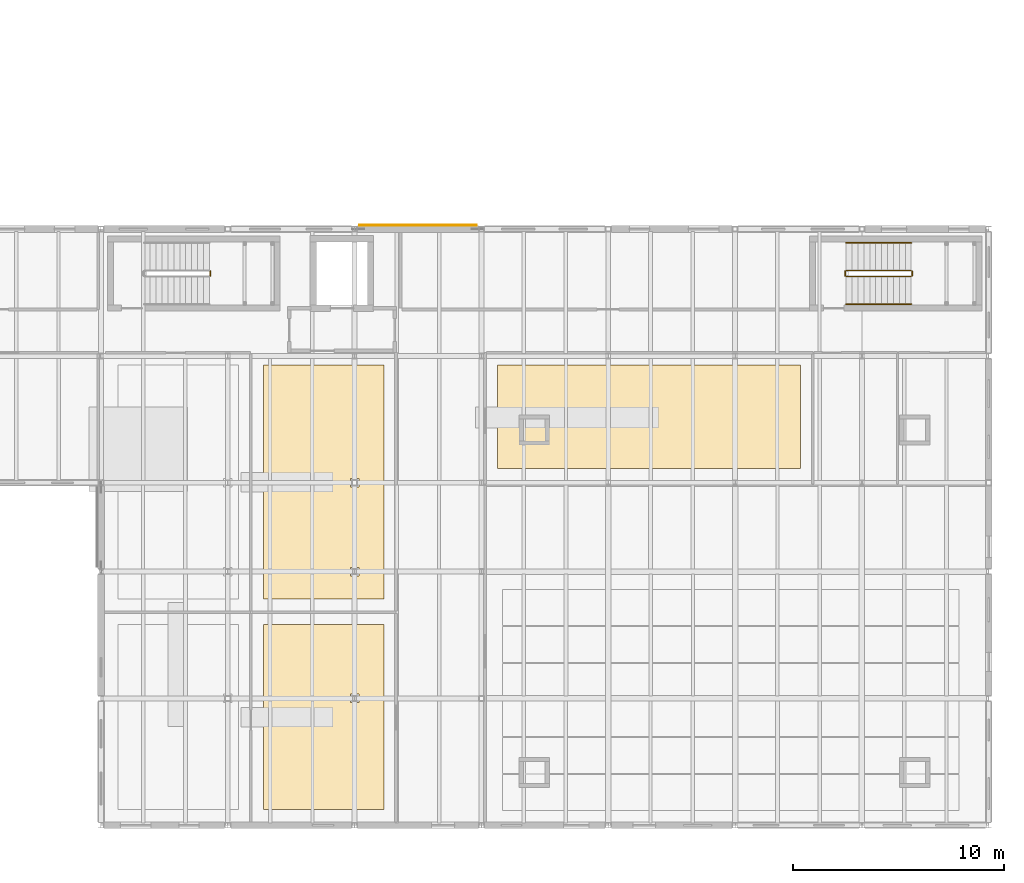
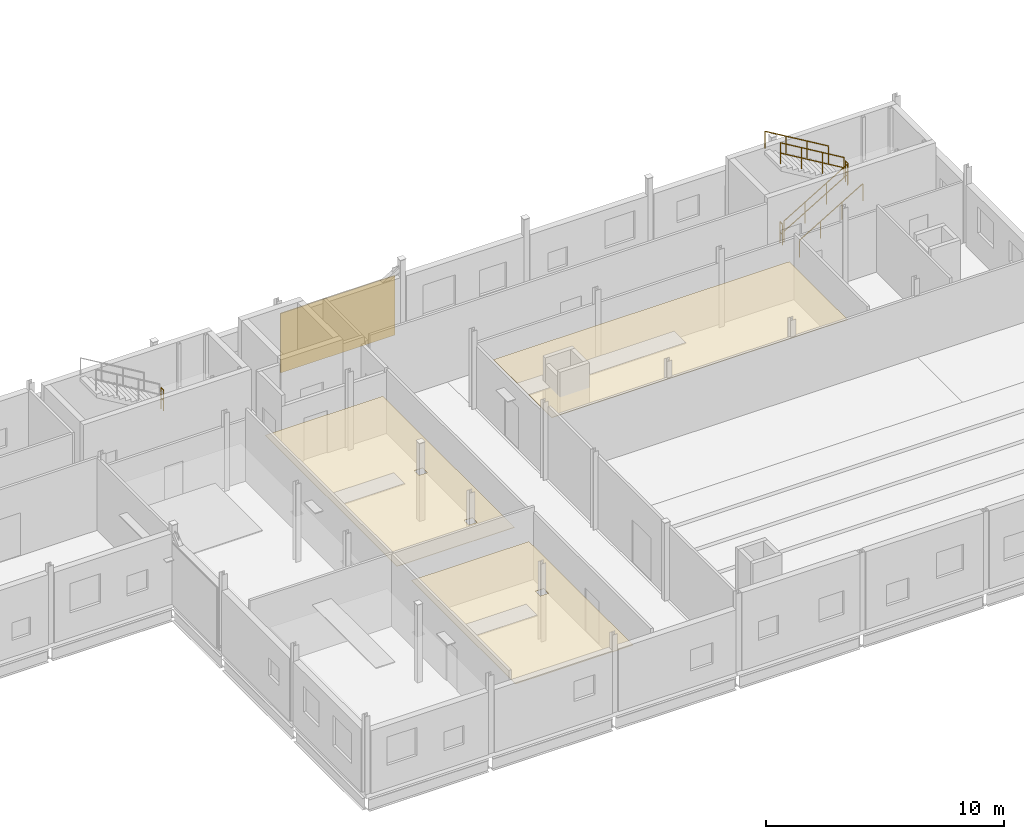
# One storey, part 90 of 92: 7 railings, 4 coverings.
"""IFC4 building model written with IfcOpenShell, lengths in metres."""

from ifc_helpers import new_model, si_unit, direction, frame, origin, origin_2d, place, context, subcontext, project, spatial, polyline, rectangle, circle, outline, extrude, material, layer, layer_set, type_object, element, save


model = new_model("IFC4")

# Units and contexts
model_context = context("Model", 3, precision=1e-05, world=origin(), true_north=direction((0.0, 1.0)))
body_context = subcontext(model_context, "Body", "Model", "MODEL_VIEW")
ifc_project = project(units=[si_unit("LENGTHUNIT", "METRE"), si_unit("AREAUNIT", "SQUARE_METRE"), si_unit("VOLUMEUNIT", "CUBIC_METRE"), si_unit("PLANEANGLEUNIT", "RADIAN"), si_unit("MASSUNIT", "GRAM", prefix="KILO")], contexts=[model_context])

# Site, building, storey
site_placement = place(None, origin())
site = spatial("IfcSite", under=ifc_project, at=site_placement, CompositionType="ELEMENT")
building_placement = place(site_placement, origin())
building = spatial("IfcBuilding", under=site, at=building_placement, Name="Siltcreek Boulevard Central Fire Station", CompositionType="ELEMENT")
storey_placement = place(building_placement, frame((0.0, 0.0, 6.0)))
storey = spatial("IfcBuildingStorey", under=building, at=storey_placement, Name="L02", CompositionType="ELEMENT", Elevation=6.0)

# Coverings
ifc_material_1 = material(Name="Mineral-fiber acoustic ceiling tile", Category="gypsum")
ifc_layer_1 = layer(ifc_material_1, 0.02490234375, Name="Mineral-fiber acoustic ceiling tile")
ifc_layer_set_1 = layer_set([ifc_layer_1], Name="Mineral-fiber acoustic ceiling tile")
covering_type_1 = type_object("IfcCoveringType", Name="COV_CEIL_ACT", PredefinedType="CEILING", material=ifc_layer_set_1)
covering_1_placement = place(storey_placement, frame((0.0, 0.0, 2.419921875)))
element("IfcCovering", 1, at=covering_1_placement, inside=storey, type_object=covering_type_1, Name="L02 Training Classroom 202 acoustic ceiling ACT-023", PredefinedType="CEILING", context=body_context, shape_type="SweptSolid", body=[
    extrude(outline(polyline([(131.8798828125, 2.550048828125), (137.580078125, 2.550048828125), (137.580078125, 11.300048828125), (131.8798828125, 11.300048828125), (131.8798828125, 2.550048828125)]), holes=[polyline([(136.0, 7.60009765625), (136.39990234375, 7.60009765625), (136.39990234375, 8.0), (136.0, 8.0), (136.0, 7.60009765625)])]), origin(), (0.0, 0.0, 1.0), 0.025146484375),
])
covering_2_placement = place(storey_placement, frame((0.0, 0.0, 2.419921875)))
element("IfcCovering", 2, at=covering_2_placement, inside=storey, type_object=covering_type_1, Name="L02 Training Classroom 204 acoustic ceiling ACT-025", PredefinedType="CEILING", context=body_context, shape_type="SweptSolid", body=[
    extrude(outline(polyline([(131.8798828125, 12.5), (137.580078125, 12.5), (137.580078125, 23.580078125), (131.8798828125, 23.580078125), (131.8798828125, 12.5)]), holes=[polyline([(136.0, 13.60009765625), (136.39990234375, 13.60009765625), (136.39990234375, 14.0), (136.0, 14.0), (136.0, 13.60009765625)]), polyline([(136.0, 17.800048828125), (136.39990234375, 17.800048828125), (136.39990234375, 18.199951171875), (136.0, 18.199951171875), (136.0, 17.800048828125)])]), origin(), (0.0, 0.0, 1.0), 0.025146484375),
])
covering_3_placement = place(storey_placement, frame((0.0, 0.0, 2.419921875)))
element("IfcCovering", 3, at=covering_3_placement, inside=storey, type_object=covering_type_1, Name="L02 Training Classroom 205 acoustic ceiling ACT-026", PredefinedType="CEILING", context=body_context, shape_type="SweptSolid", body=[
    extrude(outline(polyline([(142.949951171875, 18.679931640625), (157.300048828125, 18.679931640625), (157.300048828125, 23.580078125), (142.949951171875, 23.580078125), (142.949951171875, 18.679931640625)])), origin(), (0.0, 0.0, 1.0), 0.025146484375),
])
ifc_material_2 = material(Name="Crisp white ribbed aluminum facade panel", Category="aluminium")
ifc_layer_2 = layer(ifc_material_2, 0.0400390625, Name="Crisp white ribbed aluminum facade panel")
ifc_layer_set_2 = layer_set([ifc_layer_2], Name="Crisp white ribbed aluminum facade panel")
covering_type_2 = type_object("IfcCoveringType", Name="COV_CLAD_WHITE", PredefinedType="CLADDING", material=ifc_layer_set_2)
covering_4_placement = place(storey_placement, frame((139.199951171875, 30.177978515625, 0.0498046875), z_axis=(0.0, 0.0, 1.0), x_axis=(-1.0, 0.0, 0.0)))
element("IfcCovering", 4, at=covering_4_placement, inside=storey, type_object=covering_type_2, Name="L02 V6 ventilated facade cladding panel CL-026", PredefinedType="CLADDING", context=body_context, shape_type="SweptSolid", body=[
    extrude(rectangle(XDim=5.550048828125, YDim=0.0400390625, at=origin_2d()), origin(), (0.0, 0.0, 1.0), 3.052978515625),
])

# Railings
ifc_material_3 = material(Name="Painted galvanized steel stair guard", Category="steel")
railing_type_1 = type_object("IfcRailingType", Name="RL_ST_GUARD", PredefinedType="BALUSTRADE", material=ifc_material_3)
railing_1_placement = place(storey_placement, frame((129.3798828125, 27.800048828125, 2.0)))
element("IfcRailing", 5, at=railing_1_placement, inside=storey, type_object=railing_type_1, Name="L02 ST-V6A stair guard 2", PredefinedType="BALUSTRADE", context=body_context, shape_type="SweptSolid", body=[
    extrude(circle(Radius=0.02392578125, at=origin_2d()), frame((0.0, 0.0, 1.076171875), z_axis=(0.0, 1.0, 0.0), x_axis=(-1.0, 0.0, 0.0)), (0.0, 0.0, 1.0), 0.199951171875),
    extrude(circle(Radius=0.02392578125, at=origin_2d()), frame((0.0, 0.0, 0.550048828125), z_axis=(0.0, 1.0, 0.0), x_axis=(-1.0, 0.0, 0.0)), (0.0, 0.0, 1.0), 0.199951171875),
    extrude(circle(Radius=0.02099609375, at=origin_2d()), origin(), (0.0, 0.0, 1.0), 1.052001953125),
    extrude(circle(Radius=0.02099609375, at=origin_2d()), frame((0.0, 0.199951171875, 0.0)), (0.0, 0.0, 1.0), 1.052001953125),
])
railing_2_placement = place(storey_placement, frame((159.449951171875, 27.75, 0.166748046875)))
element("IfcRailing", 6, at=railing_2_placement, inside=storey, type_object=railing_type_1, Name="L02 ST-V6B stair guard 1", PredefinedType="BALUSTRADE", context=body_context, shape_type="SweptSolid", body=[
    extrude(circle(Radius=0.02392578125, at=origin_2d()), frame((0.0, 0.0, 1.076171875), z_axis=(0.859308565015, 0.0, 0.511457515432), x_axis=(0.0, 1.0, 0.0)), (0.0, 0.0, 1.0), 3.58447265625),
    extrude(circle(Radius=0.02392578125, at=origin_2d()), frame((0.0, 0.0, 0.550048828125), z_axis=(0.859308565015, 0.0, 0.511457515432), x_axis=(0.0, 1.0, 0.0)), (0.0, 0.0, 1.0), 3.58447265625),
    extrude(circle(Radius=0.02099609375, at=origin_2d()), origin(), (0.0, 0.0, 1.0), 1.052001953125),
    extrude(circle(Radius=0.02099609375, at=origin_2d()), frame((1.026611328125, 0.0, 0.611083984375)), (0.0, 0.0, 1.0), 1.052001953125),
    extrude(circle(Radius=0.02099609375, at=origin_2d()), frame((2.053466796875, 0.0, 1.22216796875)), (0.0, 0.0, 1.0), 1.052001953125),
    extrude(circle(Radius=0.02099609375, at=origin_2d()), frame((3.080078125, 0.0, 1.833251953125)), (0.0, 0.0, 1.0), 1.052001953125),
])
railing_3_placement = place(storey_placement, frame((162.580078125, 27.800048828125, 2.0)))
element("IfcRailing", 7, at=railing_3_placement, inside=storey, type_object=railing_type_1, Name="L02 ST-V6B stair guard 2", PredefinedType="BALUSTRADE", context=body_context, shape_type="SweptSolid", body=[
    extrude(circle(Radius=0.02392578125, at=origin_2d()), frame((0.0, 0.0, 1.076171875), z_axis=(0.0, 1.0, 0.0), x_axis=(-1.0, 0.0, 0.0)), (0.0, 0.0, 1.0), 0.199951171875),
    extrude(circle(Radius=0.02392578125, at=origin_2d()), frame((0.0, 0.0, 0.550048828125), z_axis=(0.0, 1.0, 0.0), x_axis=(-1.0, 0.0, 0.0)), (0.0, 0.0, 1.0), 0.199951171875),
    extrude(circle(Radius=0.02099609375, at=origin_2d()), origin(), (0.0, 0.0, 1.0), 1.052001953125),
    extrude(circle(Radius=0.02099609375, at=origin_2d()), frame((0.0, 0.199951171875, 0.0)), (0.0, 0.0, 1.0), 1.052001953125),
])
railing_4_placement = place(storey_placement, frame((162.530029296875, 28.050048828125, 2.166748046875)))
element("IfcRailing", 8, at=railing_4_placement, inside=storey, type_object=railing_type_1, Name="L02 ST-V6B stair guard 3", PredefinedType="BALUSTRADE", context=body_context, shape_type="SweptSolid", body=[
    extrude(circle(Radius=0.02392578125, at=origin_2d()), frame((0.0, 0.0, 1.076171875), z_axis=(-0.859308565015, 0.0, 0.511457515432), x_axis=(0.0, -1.0, 0.0)), (0.0, 0.0, 1.0), 3.58447265625),
    extrude(circle(Radius=0.02392578125, at=origin_2d()), frame((0.0, 0.0, 0.550048828125), z_axis=(-0.859308565015, 0.0, 0.511457515432), x_axis=(0.0, -1.0, 0.0)), (0.0, 0.0, 1.0), 3.58447265625),
    extrude(circle(Radius=0.02099609375, at=origin_2d()), origin(), (0.0, 0.0, 1.0), 1.052001953125),
    extrude(circle(Radius=0.02099609375, at=origin_2d()), frame((-1.026611328125, 0.0, 0.611083984375)), (0.0, 0.0, 1.0), 1.052001953125),
    extrude(circle(Radius=0.02099609375, at=origin_2d()), frame((-2.053466796875, 0.0, 1.22216796875)), (0.0, 0.0, 1.0), 1.052001953125),
    extrude(circle(Radius=0.02099609375, at=origin_2d()), frame((-3.080078125, 0.0, 1.833251953125)), (0.0, 0.0, 1.0), 1.052001953125),
])
railing_5_placement = place(storey_placement, frame((159.39990234375, 27.800048828125, 0.0)))
element("IfcRailing", 9, at=railing_5_placement, inside=storey, type_object=railing_type_1, Name="L02 ST-V6B stair guard 4", PredefinedType="BALUSTRADE", context=body_context, shape_type="SweptSolid", body=[
    extrude(circle(Radius=0.02392578125, at=origin_2d()), frame((0.0, 0.0, 1.076171875), z_axis=(0.0, 1.0, 0.0), x_axis=(-1.0, 0.0, 0.0)), (0.0, 0.0, 1.0), 0.199951171875),
    extrude(circle(Radius=0.02392578125, at=origin_2d()), frame((0.0, 0.0, 0.550048828125), z_axis=(0.0, 1.0, 0.0), x_axis=(-1.0, 0.0, 0.0)), (0.0, 0.0, 1.0), 0.199951171875),
    extrude(circle(Radius=0.02099609375, at=origin_2d()), origin(), (0.0, 0.0, 1.0), 1.052001953125),
    extrude(circle(Radius=0.02099609375, at=origin_2d()), frame((0.0, 0.199951171875, 0.0)), (0.0, 0.0, 1.0), 1.052001953125),
])
ifc_material_4 = material(Name="Brushed stainless steel stair handrail", Category="steel")
railing_type_2 = type_object("IfcRailingType", Name="RL_ST_HAND", PredefinedType="HANDRAIL", material=ifc_material_4)
railing_6_placement = place(storey_placement, frame((159.449951171875, 26.449951171875, 0.166748046875)))
element("IfcRailing", 10, at=railing_6_placement, inside=storey, type_object=railing_type_2, Name="L02 ST-V6B stair handrail 1", PredefinedType="HANDRAIL", context=body_context, shape_type="SweptSolid", body=[
    extrude(circle(Radius=0.02392578125, at=origin_2d()), frame((0.0, 0.0, 0.8759765625), z_axis=(0.859308565015, 0.0, 0.511457515432), x_axis=(0.0, 1.0, 0.0)), (0.0, 0.0, 1.0), 3.58447265625),
    extrude(circle(Radius=0.02099609375, at=origin_2d()), origin(), (0.0, 0.0, 1.0), 0.851806640625),
    extrude(circle(Radius=0.02099609375, at=origin_2d()), frame((1.026611328125, 0.0, 0.611083984375)), (0.0, 0.0, 1.0), 0.851806640625),
    extrude(circle(Radius=0.02099609375, at=origin_2d()), frame((2.053466796875, 0.0, 1.22216796875)), (0.0, 0.0, 1.0), 0.851806640625),
    extrude(circle(Radius=0.02099609375, at=origin_2d()), frame((3.080078125, 0.0, 1.833251953125)), (0.0, 0.0, 1.0), 0.851806640625),
])
railing_7_placement = place(storey_placement, frame((162.530029296875, 29.35009765625, 2.166748046875)))
element("IfcRailing", 11, at=railing_7_placement, inside=storey, type_object=railing_type_2, Name="L02 ST-V6B stair handrail 2", PredefinedType="HANDRAIL", context=body_context, shape_type="SweptSolid", body=[
    extrude(circle(Radius=0.02392578125, at=origin_2d()), frame((0.0, 0.0, 0.8759765625), z_axis=(-0.859308565015, 0.0, 0.511457515432), x_axis=(0.0, -1.0, 0.0)), (0.0, 0.0, 1.0), 3.58447265625),
    extrude(circle(Radius=0.02099609375, at=origin_2d()), origin(), (0.0, 0.0, 1.0), 0.851806640625),
    extrude(circle(Radius=0.02099609375, at=origin_2d()), frame((-1.026611328125, 0.0, 0.611083984375)), (0.0, 0.0, 1.0), 0.851806640625),
    extrude(circle(Radius=0.02099609375, at=origin_2d()), frame((-2.053466796875, 0.0, 1.22216796875)), (0.0, 0.0, 1.0), 0.851806640625),
    extrude(circle(Radius=0.02099609375, at=origin_2d()), frame((-3.080078125, 0.0, 1.833251953125)), (0.0, 0.0, 1.0), 0.851806640625),
])

save(model, "model.ifc")
